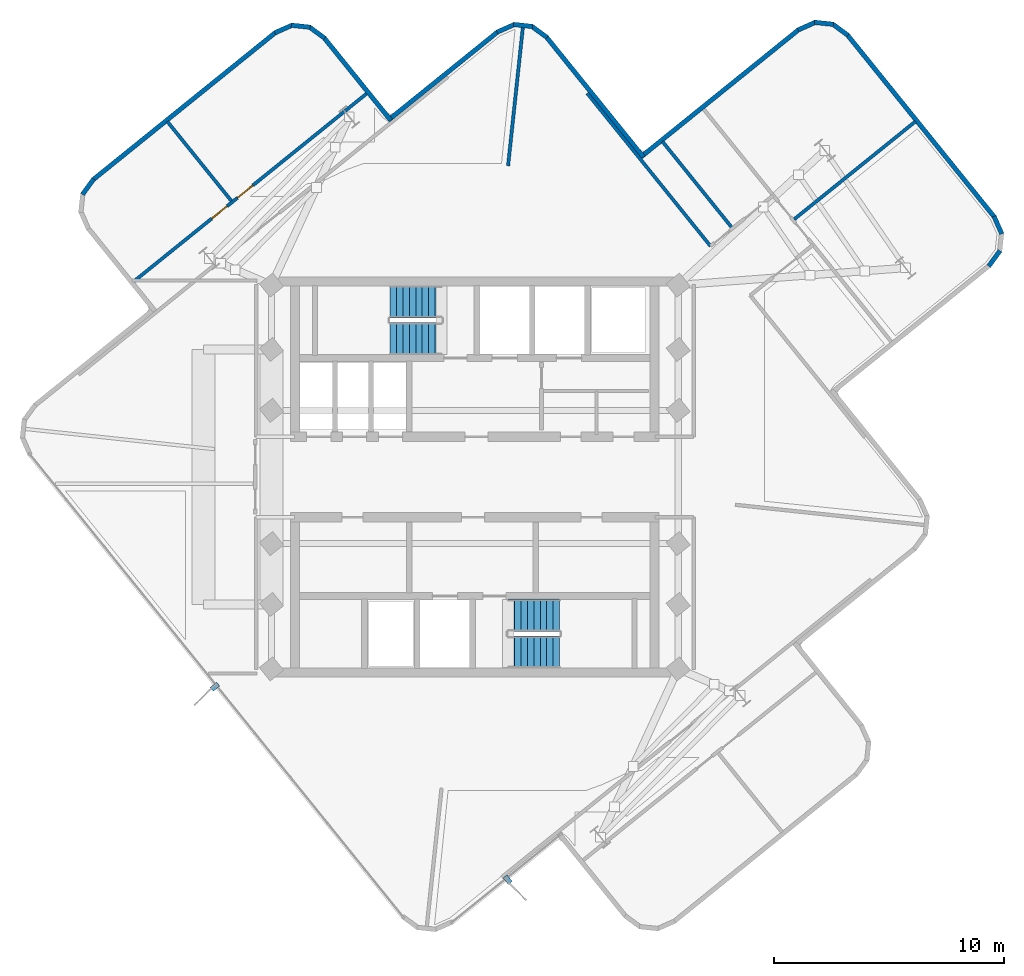
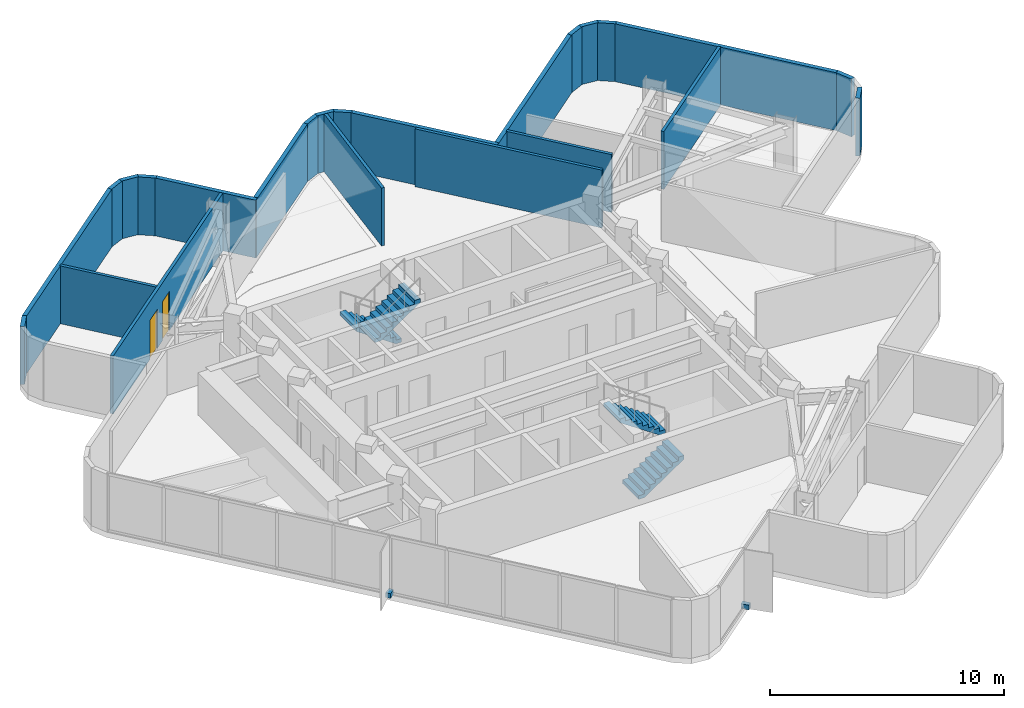
# One storey, part 7 of 9: 24 walls, 4 stair flights, 2 discrete accessories, 2 doors, 2 openings, 2 elements without a shape of their own.
"""IFC4 building model written with IfcOpenShell, lengths in metres."""

from ifc_helpers import new_model, si_unit, direction, frame, frame_2d, origin, origin_2d, place, context, subcontext, project, spatial, polyline, rectangle, outline, extrude, material, layer, layer_set, type_object, element, fill, aggregate, save


model = new_model("IFC4")

# Units and contexts
model_context = context("Model", 3, precision=1e-05, world=origin(), true_north=direction((0.0, 1.0)))
body_context = subcontext(model_context, "Body", "Model", "MODEL_VIEW")
ifc_project = project(units=[si_unit("LENGTHUNIT", "METRE"), si_unit("AREAUNIT", "SQUARE_METRE"), si_unit("VOLUMEUNIT", "CUBIC_METRE"), si_unit("PLANEANGLEUNIT", "RADIAN"), si_unit("MASSUNIT", "GRAM", prefix="KILO")], contexts=[model_context])

# Site, building, storey
site_placement = place(None, origin())
site = spatial("IfcSite", under=ifc_project, at=site_placement, CompositionType="ELEMENT")
building_placement = place(site_placement, origin())
building = spatial("IfcBuilding", under=site, at=building_placement, Name="Solmarez Civic Tower", CompositionType="ELEMENT")
storey_placement = place(building_placement, frame((0.0, 0.0, 235.97998046875)))
storey = spatial("IfcBuildingStorey", under=building, at=storey_placement, Name="L63", CompositionType="ELEMENT", Elevation=235.97998046875)

# Walls
ifc_material_1 = material(Name="Precast concrete C40/50", Category="concrete")
ifc_layer_1 = layer(ifc_material_1, 0.199951171875)
ifc_layer_set_1 = layer_set([ifc_layer_1], Name="Precast concrete C40/50")
wall_type_1 = type_object("IfcWallType", Name="WALL-EXT-200", PredefinedType="SOLIDWALL", material=ifc_layer_set_1)
wall_1_placement = place(storey_placement, frame((-17.077880859375, 12.291015625, 0.0), z_axis=(0.0, 0.0, 1.0), x_axis=(0.589366307287, 0.807865926893, 0.0)))
element("IfcWall", 1, at=wall_1_placement, inside=storey, type_object=wall_type_1, Name="L63 Exterior Precast Wall 16", PredefinedType="SOLIDWALL", context=body_context, shape_type="SweptSolid", body=[
    extrude(rectangle(XDim=0.838134765625, YDim=0.199951171875, at=frame_2d((0.4189453125, 0.0))), origin(), (0.0, 0.0, 1.0), 3.02001953125),
])
wall_2_placement = place(storey_placement, frame((-16.617919921875, 12.931884765625, 0.0), z_axis=(0.0, 0.0, 1.0), x_axis=(0.778166052264, 0.628058592095, 0.0)))
element("IfcWall", 2, at=wall_2_placement, inside=storey, type_object=wall_type_1, Name="L63 Exterior Precast Wall 17", PredefinedType="SOLIDWALL", context=body_context, shape_type="SweptSolid", body=[
    extrude(rectangle(XDim=10.223876953125, YDim=0.199951171875, at=frame_2d((5.11181640625, 0.0))), origin(), (0.0, 0.0, 1.0), 3.02001953125),
])
wall_3_placement = place(storey_placement, frame((-8.7041015625, 19.326904296875, 0.0), z_axis=(0.0, 0.0, 1.0), x_axis=(0.914614013687, 0.404328091983, 0.0)))
element("IfcWall", 3, at=wall_3_placement, inside=storey, type_object=wall_type_1, Name="L63 Exterior Precast Wall 18", PredefinedType="SOLIDWALL", context=body_context, shape_type="SweptSolid", body=[
    extrude(rectangle(XDim=0.838623046875, YDim=0.199951171875, at=frame_2d((0.41943359375, 0.0))), origin(), (0.0, 0.0, 1.0), 3.02001953125),
])
wall_4_placement = place(storey_placement, frame((-7.985107421875, 19.658935546875, 0.0), z_axis=(0.0, 0.0, 1.0), x_axis=(0.994305793889, -0.10656447925, 0.0)))
element("IfcWall", 4, at=wall_4_placement, inside=storey, type_object=wall_type_1, Name="L63 Exterior Precast Wall 19", PredefinedType="SOLIDWALL", context=body_context, shape_type="SweptSolid", body=[
    extrude(rectangle(XDim=0.82470703125, YDim=0.199951171875, at=frame_2d((0.412353515625, 0.0))), origin(), (0.0, 0.0, 1.0), 3.02001953125),
])
wall_5_placement = place(storey_placement, frame((-7.2099609375, 19.589111328125, 0.0), z_axis=(0.0, 0.0, 1.0), x_axis=(0.807172403894, -0.590315771763, 0.0)))
element("IfcWall", 5, at=wall_5_placement, inside=storey, type_object=wall_type_1, Name="L63 Exterior Precast Wall 20", PredefinedType="SOLIDWALL", context=body_context, shape_type="SweptSolid", body=[
    extrude(rectangle(XDim=0.838623046875, YDim=0.199951171875, at=frame_2d((0.41943359375, 0.0))), origin(), (0.0, 0.0, 1.0), 3.02001953125),
])
wall_6_placement = place(storey_placement, frame((-6.569091796875, 19.1279296875, 0.0), z_axis=(0.0, 0.0, 1.0), x_axis=(0.628050563363, -0.778172532193, 0.0)))
element("IfcWall", 6, at=wall_6_placement, inside=storey, type_object=wall_type_1, Name="L63 Exterior Precast Wall 21", PredefinedType="SOLIDWALL", context=body_context, shape_type="SweptSolid", body=[
    extrude(rectangle(XDim=4.641357421875, YDim=0.199951171875, at=frame_2d((2.32080078125, 0.0))), origin(), (0.0, 0.0, 1.0), 3.02001953125),
])
wall_7_placement = place(storey_placement, frame((-3.76611328125, 15.528076171875, 0.0), z_axis=(0.0, 0.0, 1.0), x_axis=(0.778185518007, 0.62803447323, 0.0)))
element("IfcWall", 7, at=wall_7_placement, inside=storey, type_object=wall_type_1, Name="L63 Exterior Precast Wall 24", PredefinedType="SOLIDWALL", context=body_context, shape_type="SweptSolid", body=[
    extrude(rectangle(XDim=6.141357421875, YDim=0.199951171875, at=frame_2d((3.07080078125, 0.0))), origin(), (0.0, 0.0, 1.0), 3.02001953125),
])
wall_8_placement = place(storey_placement, frame((0.970947265625, 19.35888671875, 0.0), z_axis=(0.0, 0.0, 1.0), x_axis=(0.914183108905, 0.405301422885, 0.0)))
element("IfcWall", 8, at=wall_8_placement, inside=storey, type_object=wall_type_1, Name="L63 Exterior Precast Wall 25", PredefinedType="SOLIDWALL", context=body_context, shape_type="SweptSolid", body=[
    extrude(rectangle(XDim=0.839111328125, YDim=0.199951171875, at=frame_2d((0.41943359375, 0.0))), origin(), (0.0, 0.0, 1.0), 3.02001953125),
])
wall_9_placement = place(storey_placement, frame((1.68994140625, 19.69189453125, 0.0), z_axis=(0.0, 0.0, 1.0), x_axis=(0.994305793889, -0.10656447925, 0.0)))
element("IfcWall", 9, at=wall_9_placement, inside=storey, type_object=wall_type_1, Name="L63 Exterior Precast Wall 26", PredefinedType="SOLIDWALL", context=body_context, shape_type="SweptSolid", body=[
    extrude(rectangle(XDim=0.82470703125, YDim=0.199951171875, at=frame_2d((0.412353515625, 0.0))), origin(), (0.0, 0.0, 1.0), 3.02001953125),
])
wall_10_placement = place(storey_placement, frame((2.465087890625, 19.6220703125, 0.0), z_axis=(0.0, 0.0, 1.0), x_axis=(0.807172403894, -0.590315771763, 0.0)))
element("IfcWall", 10, at=wall_10_placement, inside=storey, type_object=wall_type_1, Name="L63 Exterior Precast Wall 27", PredefinedType="SOLIDWALL", context=body_context, shape_type="SweptSolid", body=[
    extrude(rectangle(XDim=0.838623046875, YDim=0.199951171875, at=frame_2d((0.41943359375, 0.0))), origin(), (0.0, 0.0, 1.0), 3.02001953125),
])
wall_11_placement = place(storey_placement, frame((3.10595703125, 19.160888671875, 0.0), z_axis=(0.0, 0.0, 1.0), x_axis=(0.62807659627, -0.778151520732, 0.0)))
element("IfcWall", 11, at=wall_11_placement, inside=storey, type_object=wall_type_1, Name="L63 Exterior Precast Wall 28", PredefinedType="SOLIDWALL", context=body_context, shape_type="SweptSolid", body=[
    extrude(rectangle(XDim=6.741455078125, YDim=0.199951171875, at=frame_2d((3.37060546875, 0.0))), origin(), (0.0, 0.0, 1.0), 3.02001953125),
])
wall_12_placement = place(storey_placement, frame((7.22802734375, 13.927001953125, 0.0), z_axis=(0.0, 0.0, 1.0), x_axis=(0.778207970315, 0.628006651985, 0.0)))
element("IfcWall", 12, at=wall_12_placement, inside=storey, type_object=wall_type_1, Name="L63 Exterior Precast Wall 31", PredefinedType="SOLIDWALL", context=body_context, shape_type="SweptSolid", body=[
    extrude(rectangle(XDim=8.840576171875, YDim=0.199951171875, at=frame_2d((4.42041015625, 0.0))), origin(), (0.0, 0.0, 1.0), 3.02001953125),
])
wall_13_placement = place(storey_placement, frame((14.06591796875, 19.452880859375, 0.0), z_axis=(0.0, 0.0, 1.0), x_axis=(0.913991623031, 0.405733056368, 0.0)))
element("IfcWall", 13, at=wall_13_placement, inside=storey, type_object=wall_type_1, Name="L63 Exterior Precast Wall 32", PredefinedType="SOLIDWALL", context=body_context, shape_type="SweptSolid", body=[
    extrude(rectangle(XDim=0.838134765625, YDim=0.199951171875, at=frame_2d((0.4189453125, 0.0))), origin(), (0.0, 0.0, 1.0), 3.02001953125),
])
wall_14_placement = place(storey_placement, frame((14.783935546875, 19.785888671875, 0.0), z_axis=(0.0, 0.0, 1.0), x_axis=(0.994193378796, -0.107608203949, 0.0)))
element("IfcWall", 14, at=wall_14_placement, inside=storey, type_object=wall_type_1, Name="L63 Exterior Precast Wall 33", PredefinedType="SOLIDWALL", context=body_context, shape_type="SweptSolid", body=[
    extrude(rectangle(XDim=0.825927734375, YDim=0.199951171875, at=frame_2d((0.4130859375, 0.0))), origin(), (0.0, 0.0, 1.0), 3.02001953125),
])
wall_15_placement = place(storey_placement, frame((15.56005859375, 19.715087890625, 0.0), z_axis=(0.0, 0.0, 1.0), x_axis=(0.807727216348, -0.589556395921, 0.0)))
element("IfcWall", 15, at=wall_15_placement, inside=storey, type_object=wall_type_1, Name="L63 Exterior Precast Wall 34", PredefinedType="SOLIDWALL", context=body_context, shape_type="SweptSolid", body=[
    extrude(rectangle(XDim=0.838134765625, YDim=0.199951171875, at=frame_2d((0.4189453125, 0.0))), origin(), (0.0, 0.0, 1.0), 3.02001953125),
])
wall_16_placement = place(storey_placement, frame((16.200927734375, 19.2548828125, 0.0), z_axis=(0.0, 0.0, 1.0), x_axis=(0.628000746334, -0.778212736084, 0.0)))
element("IfcWall", 16, at=wall_16_placement, inside=storey, type_object=wall_type_1, Name="L63 Exterior Precast Wall 35", PredefinedType="SOLIDWALL", context=body_context, shape_type="SweptSolid", body=[
    extrude(rectangle(XDim=10.22314453125, YDim=0.199951171875, at=frame_2d((5.111572265625, 0.0))), origin(), (0.0, 0.0, 1.0), 3.02001953125),
])
for number, where, z_axis, x_axis, name in (
    (17, (22.594970703125, 11.341064453125, 0.0), (0.0, 0.0, 1.0), (0.405733056368, -0.913991623031, 0.0), "L63 Exterior Precast Wall 36"),
    (18, (22.85693359375, 9.847900390625, 0.0), (0.0, 0.0, 1.0), (-0.589366307287, -0.807865926893, 0.0), "L63 Exterior Precast Wall 38"),
):
    element("IfcWall", number, at=place(storey_placement, frame(where, z_axis=z_axis, x_axis=x_axis)), inside=storey, type_object=wall_type_1, Name=name, PredefinedType="SOLIDWALL", context=body_context, shape_type="SweptSolid", body=[
        extrude(rectangle(XDim=0.838134765625, YDim=0.199951171875, at=frame_2d((0.4189453125, 0.0))), origin(), (0.0, 0.0, 1.0), 3.02001953125),
    ])
ifc_material_2 = material(Name="Gypsum Board Acoustic Steel-Stud Partition", Category="steel")
ifc_layer_2 = layer(ifc_material_2, 0.14501953125)
ifc_layer_set_2 = layer_set([ifc_layer_2], Name="Gypsum Board Acoustic Steel-Stud Partition")
wall_type_2 = type_object("IfcWallType", Name="WALL-INT-PART-150", PredefinedType="PARTITIONING", material=ifc_layer_set_2)
wall_17_placement = place(storey_placement, frame((1.447021484375, 13.5400390625, 0.0), z_axis=(0.0, 0.0, 1.0), x_axis=(0.106294824765, 0.994334657059, 0.0)))
element("IfcWall", 19, at=wall_17_placement, inside=storey, type_object=wall_type_2, Name="L63 Interior Partition PT-L63-QDIV-1", PredefinedType="PARTITIONING", context=body_context, shape_type="SweptSolid", body=[
    extrude(rectangle(XDim=6.077392578125, YDim=0.14501953125, at=frame_2d((3.03857421875, 0.0))), origin(), (0.0, 0.0, 1.0), 3.02001953125),
])
wall_18_placement = place(storey_placement, frame((10.260986328125, 10.0400390625, 0.0), z_axis=(0.0, 0.0, 1.0), x_axis=(-0.627945544918, 0.778257279193, 0.0)))
element("IfcWall", 20, at=wall_18_placement, inside=storey, type_object=wall_type_2, Name="L63 Interior Partition PT-L63-E-EFL", PredefinedType="PARTITIONING", context=body_context, shape_type="SweptSolid", body=[
    extrude(rectangle(XDim=8.550048828125, YDim=0.14501953125, at=frame_2d((4.27490234375, 0.0))), origin(), (0.0, 0.0, 1.0), 3.02001953125),
])
wall_19_placement = place(storey_placement, frame((11.198974609375, 10.8359375, 0.0), z_axis=(0.0, 0.0, 1.0), x_axis=(-0.627885679676, 0.778305578329, 0.0)))
element("IfcWall", 21, at=wall_19_placement, inside=storey, type_object=wall_type_2, Name="L63 Interior Partition PT-L63-E-LM", PredefinedType="PARTITIONING", context=body_context, shape_type="SweptSolid", body=[
    extrude(rectangle(XDim=4.835205078125, YDim=0.14501953125, at=frame_2d((2.41748046875, 0.0))), origin(), (0.0, 0.0, 1.0), 3.02001953125),
])
wall_20_placement = place(storey_placement, frame((13.89892578125, 11.215087890625, 0.0), z_axis=(0.0, 0.0, 1.0), x_axis=(0.778317035858, 0.62787147705, 0.0)))
element("IfcWall", 22, at=wall_20_placement, inside=storey, type_object=wall_type_2, Name="L63 Interior Partition PT-L63-E-TM", PredefinedType="PARTITIONING", context=body_context, shape_type="SweptSolid", body=[
    extrude(rectangle(XDim=6.775146484375, YDim=0.14501953125, at=frame_2d((3.3876953125, 0.0))), origin(), (0.0, 0.0, 1.0), 3.02001953125),
])
wall_21_placement = place(storey_placement, frame((-10.592041015625, 12.011962890625, 0.0), z_axis=(0.0, 0.0, 1.0), x_axis=(-0.627878320572, 0.778311515112, 0.0)))
element("IfcWall", 23, at=wall_21_placement, inside=storey, type_object=wall_type_2, Name="L63 Interior Partition PT-L63-N-TM3", PredefinedType="PARTITIONING", context=body_context, shape_type="SweptSolid", body=[
    extrude(rectangle(XDim=4.435546875, YDim=0.14501953125, at=frame_2d((2.2177734375, 0.0))), origin(), (0.0, 0.0, 1.0), 3.02001953125),
])

# Wall, openings, doors
wall_22_placement = place(storey_placement, frame((-4.68994140625, 16.697021484375, 0.0), z_axis=(0.0, 0.0, 1.0), x_axis=(-0.778274338812, -0.62792440114, 0.0)))
wall_22 = element("IfcWall", 24, at=wall_22_placement, inside=storey, type_object=wall_type_2, Name="L63 Interior Partition PT-L63-N-SCUT", PredefinedType="PARTITIONING", context=body_context, shape_type="SweptSolid", body=[
    extrude(rectangle(XDim=13.070068359375, YDim=0.14501953125, at=frame_2d((6.53515625, 0.0))), origin(), (0.0, 0.0, 1.0), 3.02001953125),
])
opening_1_placement = place(wall_22_placement, frame((6.385009765625, 0.0, 0.0)))
opening_1 = element("IfcOpeningElement", 25, at=opening_1_placement, cuts=wall_22, Name="Opening D-14", PredefinedType="OPENING", context=body_context, shape_type="SweptSolid", body=[
    extrude(rectangle(XDim=0.860107421875, YDim=2.0400390625, at=frame_2d((0.43017578125, 1.02001953125))), frame((0.0, 0.08251953125, 0.0), z_axis=(0.0, -1.0, 0.0), x_axis=(1.0, 0.0, 0.0)), (0.0, 0.0, 1.0), 0.1650390625),
])
opening_2_placement = place(wall_22_placement, frame((7.824951171875, 0.0, 0.0)))
opening_2 = element("IfcOpeningElement", 26, at=opening_2_placement, cuts=wall_22, Name="Opening D-14", PredefinedType="OPENING", context=body_context, shape_type="SweptSolid", body=[
    extrude(rectangle(XDim=0.860107421875, YDim=2.0400390625, at=frame_2d((0.43017578125, 1.02001953125))), frame((0.0, 0.08251953125, 0.0), z_axis=(0.0, -1.0, 0.0), x_axis=(1.0, 0.0, 0.0)), (0.0, 0.0, 1.0), 0.1650390625),
])
ifc_material_3 = material(Name="Timber Storage and Pantry Door", Category="wood")
door_type = type_object("IfcDoorType", Name="DOOR-INT-850", OperationType="NOTDEFINED", PredefinedType="DOOR", material=ifc_material_3)
door_1_placement = place(opening_1_placement, origin())
door_1 = element("IfcDoor", 27, at=door_1_placement, inside=storey, type_object=door_type, Name="L63 Staff Dining Canteen Third North Door", OperationType="SINGLE_SWING_RIGHT", OverallHeight=2.0400390625, OverallWidth=0.860107421875, PredefinedType="DOOR", context=body_context, shape_type="SweptSolid", body=[
    extrude(rectangle(XDim=0.860107421875, YDim=2.0400390625, at=frame_2d((0.43017578125, 1.02001953125))), frame((0.0, 0.02490234375, 0.0), z_axis=(0.0, -1.0, 0.0), x_axis=(1.0, 0.0, 0.0)), (0.0, 0.0, 1.0), 0.050048828125),
])
fill(opening_1, door_1)
door_2_placement = place(opening_2_placement, origin())
door_2 = element("IfcDoor", 28, at=door_2_placement, inside=storey, type_object=door_type, Name="L63 Civic Multi-Purpose Room Second North Door", OperationType="SINGLE_SWING_LEFT", OverallHeight=2.0400390625, OverallWidth=0.860107421875, PredefinedType="DOOR", context=body_context, shape_type="SweptSolid", body=[
    extrude(rectangle(XDim=0.860107421875, YDim=2.0400390625, at=frame_2d((0.43017578125, 1.02001953125))), frame((0.0, 0.02490234375, 0.0), z_axis=(0.0, -1.0, 0.0), x_axis=(1.0, 0.0, 0.0)), (0.0, 0.0, 1.0), 0.050048828125),
])
fill(opening_2, door_2)

# Stair, stair flights
ifc_material_4 = material(Name="Concrete C50/60", Category="concrete")
stair_type = type_object("IfcStairType", Name="STAIR-DOGLEG-140W-18R-1900", PredefinedType="HALF_TURN_STAIR", material=ifc_material_4)
stair_1_placement = place(storey_placement, origin())
stair_1 = element("IfcStair", 29, at=stair_1_placement, inside=storey, type_object=stair_type, Name="L63 North Core Protected Exit Stair ST-1", PredefinedType="HALF_TURN_STAIR")
stair_flight_type = type_object("IfcStairFlightType", Name="FLIGHT-DOGLEG-140W-9R-1900", PredefinedType="STRAIGHT", material=ifc_material_4)
stair_flight_1_placement = place(storey_placement, frame((-1.449951171875, 7.6201171875, 0.0), z_axis=(0.0, 0.0, 1.0), x_axis=(-1.0, 0.0, 0.0)))
stair_flight_1 = element("IfcStairFlight", 30, at=stair_flight_1_placement, type_object=stair_flight_type, Name="ST-1 flight 1", NumberOfRisers=9, NumberOfTreads=8, PredefinedType="STRAIGHT", RiserHeight=0.19, TreadLength=0.28, context=body_context, shape_type="SweptSolid", body=[
    extrude(outline(polyline([(0.0, 0.0), (0.0, 0.18994140625), (0.280029296875, 0.18994140625), (0.280029296875, 0.3798828125), (0.56005859375, 0.3798828125), (0.56005859375, 0.570068359375), (0.840087890625, 0.570068359375), (0.840087890625, 0.760009765625), (1.1201171875, 0.760009765625), (1.1201171875, 0.949951171875), (1.39990234375, 0.949951171875), (1.39990234375, 1.139892578125), (1.679931640625, 1.139892578125), (1.679931640625, 1.330078125), (1.9599609375, 1.330078125), (1.9599609375, 1.52001953125), (2.239990234375, 1.52001953125), (2.239990234375, 1.7099609375), (2.239990234375, 1.32666015625), (0.284912109375, 0.0), (0.0, 0.0)])), frame((0.0, 0.699951171875, 0.0), z_axis=(0.0, -1.0, 0.0), x_axis=(1.0, 0.0, 0.0)), (0.0, 0.0, 1.0), 1.39990234375),
])
stair_flight_2_placement = place(storey_placement, frame((-3.68994140625, 6.02001953125, 1.7099609375), z_axis=(0.0, 0.0, 1.0), x_axis=(1.0, 0.0, 0.0)))
stair_flight_2 = element("IfcStairFlight", 31, at=stair_flight_2_placement, type_object=stair_flight_type, Name="ST-1 flight 2", NumberOfRisers=9, NumberOfTreads=8, PredefinedType="STRAIGHT", RiserHeight=0.19, TreadLength=0.28, context=body_context, shape_type="SweptSolid", body=[
    extrude(outline(polyline([(0.0, 0.0), (0.0, 0.18994140625), (0.280029296875, 0.18994140625), (0.280029296875, 0.3798828125), (0.56005859375, 0.3798828125), (0.56005859375, 0.570068359375), (0.840087890625, 0.570068359375), (0.840087890625, 0.760009765625), (1.1201171875, 0.760009765625), (1.1201171875, 0.949951171875), (1.39990234375, 0.949951171875), (1.39990234375, 1.139892578125), (1.679931640625, 1.139892578125), (1.679931640625, 1.330078125), (1.9599609375, 1.330078125), (1.9599609375, 1.52001953125), (2.239990234375, 1.52001953125), (2.239990234375, 1.7099609375), (2.239990234375, 1.32666015625), (0.284912109375, 0.0), (0.0, 0.0)])), frame((0.0, 0.699951171875, 0.0), z_axis=(0.0, -1.0, 0.0), x_axis=(1.0, 0.0, 0.0)), (0.0, 0.0, 1.0), 1.39990234375),
])
aggregate(stair_1, [stair_flight_1, stair_flight_2])

stair_2_placement = place(storey_placement, origin())
stair_2 = element("IfcStair", 32, at=stair_2_placement, inside=storey, type_object=stair_type, Name="L63 South Core Protected Exit Stair ST-2", PredefinedType="HALF_TURN_STAIR")
stair_flight_3_placement = place(storey_placement, frame((1.449951171875, -7.6201171875, 0.0), z_axis=(0.0, 0.0, 1.0), x_axis=(1.0, 0.0, 0.0)))
stair_flight_3 = element("IfcStairFlight", 33, at=stair_flight_3_placement, type_object=stair_flight_type, Name="ST-2 flight 1", NumberOfRisers=9, NumberOfTreads=8, PredefinedType="STRAIGHT", RiserHeight=0.19, TreadLength=0.28, context=body_context, shape_type="SweptSolid", body=[
    extrude(outline(polyline([(0.0, 0.0), (0.0, 0.18994140625), (0.280029296875, 0.18994140625), (0.280029296875, 0.3798828125), (0.56005859375, 0.3798828125), (0.56005859375, 0.570068359375), (0.840087890625, 0.570068359375), (0.840087890625, 0.760009765625), (1.1201171875, 0.760009765625), (1.1201171875, 0.949951171875), (1.39990234375, 0.949951171875), (1.39990234375, 1.139892578125), (1.679931640625, 1.139892578125), (1.679931640625, 1.330078125), (1.9599609375, 1.330078125), (1.9599609375, 1.52001953125), (2.239990234375, 1.52001953125), (2.239990234375, 1.7099609375), (2.239990234375, 1.32666015625), (0.284912109375, 0.0), (0.0, 0.0)])), frame((0.0, 0.699951171875, 0.0), z_axis=(0.0, -1.0, 0.0), x_axis=(1.0, 0.0, 0.0)), (0.0, 0.0, 1.0), 1.39990234375),
])
stair_flight_4_placement = place(storey_placement, frame((3.68994140625, -6.02001953125, 1.7099609375), z_axis=(0.0, 0.0, 1.0), x_axis=(-1.0, 0.0, 0.0)))
stair_flight_4 = element("IfcStairFlight", 34, at=stair_flight_4_placement, type_object=stair_flight_type, Name="ST-2 flight 2", NumberOfRisers=9, NumberOfTreads=8, PredefinedType="STRAIGHT", RiserHeight=0.19, TreadLength=0.28, context=body_context, shape_type="SweptSolid", body=[
    extrude(outline(polyline([(0.0, 0.0), (0.0, 0.18994140625), (0.280029296875, 0.18994140625), (0.280029296875, 0.3798828125), (0.56005859375, 0.3798828125), (0.56005859375, 0.570068359375), (0.840087890625, 0.570068359375), (0.840087890625, 0.760009765625), (1.1201171875, 0.760009765625), (1.1201171875, 0.949951171875), (1.39990234375, 0.949951171875), (1.39990234375, 1.139892578125), (1.679931640625, 1.139892578125), (1.679931640625, 1.330078125), (1.9599609375, 1.330078125), (1.9599609375, 1.52001953125), (2.239990234375, 1.52001953125), (2.239990234375, 1.7099609375), (2.239990234375, 1.32666015625), (0.284912109375, 0.0), (0.0, 0.0)])), frame((0.0, 0.699951171875, 0.0), z_axis=(0.0, -1.0, 0.0), x_axis=(1.0, 0.0, 0.0)), (0.0, 0.0, 1.0), 1.39990234375),
])
aggregate(stair_2, [stair_flight_3, stair_flight_4])

# Discrete accessories
ifc_material_5 = material(Name="Stainless Steel Grade 1.4401", Category="steel")
discrete_accessory_type = type_object("IfcDiscreteAccessoryType", Name="BRACKET-SS-FIN", PredefinedType="BRACKET", material=ifc_material_5)
for number, where, z_axis, x_axis, name in (
    (35, (1.427001953125, -17.51904296875, -0.06005859375), (0.0, 0.0, 1.0), (0.62798230874, -0.778227614461, 0.0), "L63 Stainless Fin Support Bracket FIN-L63-01"),
    (36, (-11.30810546875, -9.1240234375, -0.06005859375), (0.0, 0.0, 1.0), (-0.778256441325, -0.627946583346, 0.0), "L63 Stainless Fin Support Bracket FIN-L63-02"),
):
    element("IfcDiscreteAccessory", number, at=place(storey_placement, frame(where, z_axis=z_axis, x_axis=x_axis)), inside=storey, type_object=discrete_accessory_type, Name=name, PredefinedType="BRACKET", context=body_context, shape_type="SweptSolid", body=[
        extrude(rectangle(XDim=0.360107421875, YDim=0.219970703125, at=origin_2d()), origin(), (0.0, 0.0, 1.0), 0.239990234375),
    ])

save(model, "model.ifc")
